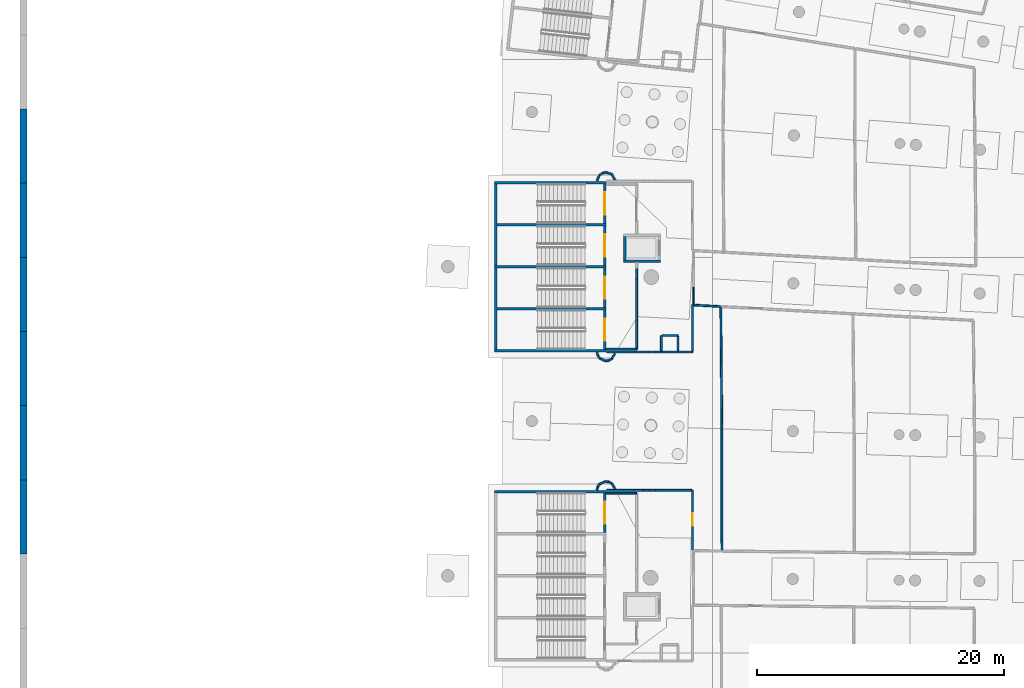
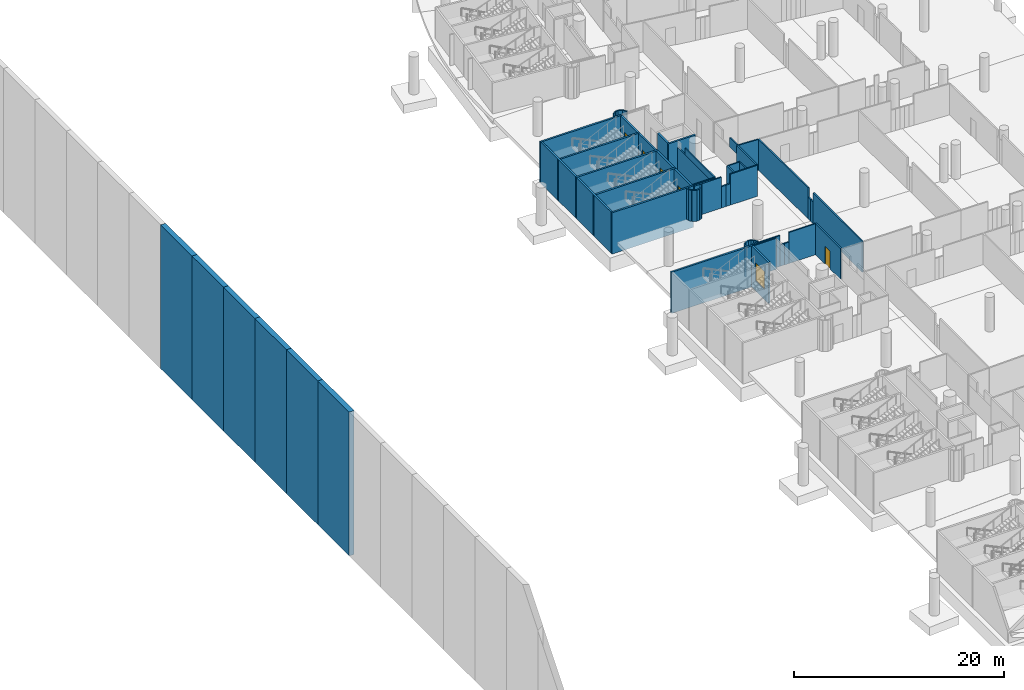
# One storey, part 66 of 142: 61 walls, 6 doors, 6 openings.
"""IFC4 building model written with IfcOpenShell, lengths in metres."""

from ifc_helpers import new_model, si_unit, direction, frame, frame_2d, origin, place, context, subcontext, project, spatial, rectangle, extrude, material, layer, layer_set, type_object, element, fill, save


model = new_model("IFC4")

# Units and contexts
model_context = context("Model", 3, precision=1e-05, world=origin(), true_north=direction((0.0, 1.0)))
body_context = subcontext(model_context, "Body", "Model", "MODEL_VIEW")
ifc_project = project(units=[si_unit("LENGTHUNIT", "METRE"), si_unit("AREAUNIT", "SQUARE_METRE"), si_unit("VOLUMEUNIT", "CUBIC_METRE"), si_unit("PLANEANGLEUNIT", "RADIAN"), si_unit("MASSUNIT", "GRAM", prefix="KILO")], contexts=[model_context])

# Site, building, storey
site_placement = place(None, origin())
site = spatial("IfcSite", under=ifc_project, at=site_placement, CompositionType="ELEMENT")
building_placement = place(site_placement, origin())
building = spatial("IfcBuilding", under=site, at=building_placement, Name="Meseta Stadium", CompositionType="ELEMENT")
storey_placement = place(building_placement, frame((0.0, 0.0, -4.0)))
storey = spatial("IfcBuildingStorey", under=building, at=storey_placement, Name="B1", CompositionType="ELEMENT", Elevation=-4.0)

# Walls
ifc_material_1 = material(Name="Concrete C40/50", Category="concrete")
ifc_layer_1 = layer(ifc_material_1, 0.199951171875)
ifc_layer_set_1 = layer_set([ifc_layer_1], Name="Core divider wall 200")
wall_type_1 = type_object("IfcWallType", Name="Core divider wall 200", PredefinedType="SHEAR", material=ifc_layer_set_1)
for number, where, z_axis, x_axis, name in (
    (1, (-97.60009765625, 34.64990234375, -1.199951171875), (0.0, 0.0, 1.0), (1.0, 0.0, 0.0), "Core 16 B1 stair A divider wall"),
    (2, (-97.60009765625, 27.85009765625, -1.199951171875), (0.0, 0.0, 1.0), (1.0, 0.0, 0.0), "Core 16 B1 stair B divider wall"),
):
    element("IfcWall", number, at=place(storey_placement, frame(where, z_axis=z_axis, x_axis=x_axis)), inside=storey, type_object=wall_type_1, Name=name, PredefinedType="SHEAR", context=body_context, shape_type="SweptSolid", body=[
        extrude(rectangle(XDim=9.0, YDim=0.199951171875, at=frame_2d((4.5, 0.0))), origin(), (0.0, 0.0, 1.0), 4.800048828125),
    ])
ifc_material_2 = material(Name="Concrete C40/50", Category="concrete")
ifc_layer_2 = layer(ifc_material_2, 0.199951171875)
ifc_layer_set_2 = layer_set([ifc_layer_2], Name="Core shaft wall 200")
wall_type_2 = type_object("IfcWallType", Name="Core shaft wall 200", PredefinedType="SHEAR", material=ifc_layer_set_2)
for number, where, z_axis, x_axis, name in (
    (3, (-97.60009765625, 38.050048828125, -1.199951171875), (0.0, 0.0, 1.0), (1.0, 0.0, 0.0), "Core 16 B1 stair wall A-side"),
    (4, (-97.60009765625, 31.25, -1.199951171875), (0.0, 0.0, 1.0), (1.0, 0.0, 0.0), "Core 16 B1 stair wall shared"),
    (5, (-97.60009765625, 24.449951171875, -1.199951171875), (0.0, 0.0, 1.0), (1.0, 0.0, 0.0), "Core 16 B1 stair wall B-side"),
):
    element("IfcWall", number, at=place(storey_placement, frame(where, z_axis=z_axis, x_axis=x_axis)), inside=storey, type_object=wall_type_2, Name=name, PredefinedType="SHEAR", context=body_context, shape_type="SweptSolid", body=[
        extrude(rectangle(XDim=9.0, YDim=0.199951171875, at=frame_2d((4.5, 0.0))), origin(), (0.0, 0.0, 1.0), 4.800048828125),
    ])
for number, where, z_axis, x_axis, name in (
    (6, (-97.5, 37.949951171875, -1.199951171875), (0.0, 0.0, 1.0), (0.0, -1.0, 0.0), "Core 16 B1 stair A outer end wall"),
    (7, (-97.5, 31.14990234375, -1.199951171875), (0.0, 0.0, 1.0), (0.0, -1.0, 0.0), "Core 16 B1 stair B outer end wall"),
):
    element("IfcWall", number, at=place(storey_placement, frame(where, z_axis=z_axis, x_axis=x_axis)), inside=storey, type_object=wall_type_2, Name=name, PredefinedType="SHEAR", context=body_context, shape_type="SweptSolid", body=[
        extrude(rectangle(XDim=6.599853515625, YDim=0.199951171875, at=frame_2d((3.2998046875, 0.0))), origin(), (0.0, 0.0, 1.0), 4.800048828125),
    ])

# Wall, opening, door
wall_1_placement = place(storey_placement, frame((-88.699951171875, 37.949951171875, -1.199951171875), z_axis=(0.0, 0.0, 1.0), x_axis=(0.0, -1.0, 0.0)))
wall_1 = element("IfcWall", 8, at=wall_1_placement, inside=storey, type_object=wall_type_2, Name="Core 16 B1 stair A1 inner end wall", PredefinedType="SHEAR", context=body_context, shape_type="SweptSolid", body=[
    extrude(rectangle(XDim=3.199951171875, YDim=0.199951171875, at=frame_2d((1.60009765625, 0.0))), origin(), (0.0, 0.0, 1.0), 4.800048828125),
])
opening_1_placement = place(wall_1_placement, frame((0.699951171875, 0.0, 1.199951171875)))
opening_1 = element("IfcOpeningElement", 9, at=opening_1_placement, cuts=wall_1, Name="Opening D211", PredefinedType="OPENING", context=body_context, shape_type="SweptSolid", body=[
    extrude(rectangle(XDim=1.800048828125, YDim=2.10009765625, at=frame_2d((0.89990234375, 1.050048828125))), frame((0.0, 0.10986328125, 0.0), z_axis=(0.0, -1.0, 0.0), x_axis=(1.0, 0.0, 0.0)), (0.0, 0.0, 1.0), 0.219970703125),
])
ifc_material_3 = material(Name="Steel", Category="steel")
door_type_1 = type_object("IfcDoorType", Name="Stair door 1800x2100", OperationType="DOUBLE_DOOR_SINGLE_SWING", PredefinedType="DOOR", material=ifc_material_3)
door_1_placement = place(opening_1_placement, origin())
door_1 = element("IfcDoor", 10, at=door_1_placement, inside=storey, type_object=door_type_1, Name="Stair A1 door 16 B1", OperationType="DOUBLE_DOOR_SINGLE_SWING", OverallHeight=2.10009765625, OverallWidth=1.800048828125, PredefinedType="DOOR", context=body_context, shape_type="SweptSolid", body=[
    extrude(rectangle(XDim=1.800048828125, YDim=2.10009765625, at=frame_2d((0.89990234375, 1.050048828125))), frame((0.0, 0.02490234375, 0.0), z_axis=(0.0, -1.0, 0.0), x_axis=(1.0, 0.0, 0.0)), (0.0, 0.0, 1.0), 0.050048828125),
])
fill(opening_1, door_1)

wall_2_placement = place(storey_placement, frame((-88.699951171875, 34.550048828125, -1.199951171875), z_axis=(0.0, 0.0, 1.0), x_axis=(0.0, -1.0, 0.0)))
wall_2 = element("IfcWall", 11, at=wall_2_placement, inside=storey, type_object=wall_type_2, Name="Core 16 B1 stair A2 inner end wall", PredefinedType="SHEAR", context=body_context, shape_type="SweptSolid", body=[
    extrude(rectangle(XDim=3.199951171875, YDim=0.199951171875, at=frame_2d((1.60009765625, 0.0))), origin(), (0.0, 0.0, 1.0), 4.800048828125),
])
opening_2_placement = place(wall_2_placement, frame((0.699951171875, 0.0, 1.199951171875)))
opening_2 = element("IfcOpeningElement", 12, at=opening_2_placement, cuts=wall_2, Name="Opening D212", PredefinedType="OPENING", context=body_context, shape_type="SweptSolid", body=[
    extrude(rectangle(XDim=1.800048828125, YDim=2.10009765625, at=frame_2d((0.89990234375, 1.050048828125))), frame((0.0, 0.10986328125, 0.0), z_axis=(0.0, -1.0, 0.0), x_axis=(1.0, 0.0, 0.0)), (0.0, 0.0, 1.0), 0.219970703125),
])
door_2_placement = place(opening_2_placement, origin())
door_2 = element("IfcDoor", 13, at=door_2_placement, inside=storey, type_object=door_type_1, Name="Stair A2 door 16 B1", OperationType="DOUBLE_DOOR_SINGLE_SWING", OverallHeight=2.10009765625, OverallWidth=1.800048828125, PredefinedType="DOOR", context=body_context, shape_type="SweptSolid", body=[
    extrude(rectangle(XDim=1.800048828125, YDim=2.10009765625, at=frame_2d((0.89990234375, 1.050048828125))), frame((0.0, 0.02490234375, 0.0), z_axis=(0.0, -1.0, 0.0), x_axis=(1.0, 0.0, 0.0)), (0.0, 0.0, 1.0), 0.050048828125),
])
fill(opening_2, door_2)

wall_3_placement = place(storey_placement, frame((-88.699951171875, 31.14990234375, -1.199951171875), z_axis=(0.0, 0.0, 1.0), x_axis=(0.0, -1.0, 0.0)))
wall_3 = element("IfcWall", 14, at=wall_3_placement, inside=storey, type_object=wall_type_2, Name="Core 16 B1 stair B1 inner end wall", PredefinedType="SHEAR", context=body_context, shape_type="SweptSolid", body=[
    extrude(rectangle(XDim=3.199951171875, YDim=0.199951171875, at=frame_2d((1.60009765625, 0.0))), origin(), (0.0, 0.0, 1.0), 4.800048828125),
])
opening_3_placement = place(wall_3_placement, frame((0.699951171875, 0.0, 1.199951171875)))
opening_3 = element("IfcOpeningElement", 15, at=opening_3_placement, cuts=wall_3, Name="Opening D213", PredefinedType="OPENING", context=body_context, shape_type="SweptSolid", body=[
    extrude(rectangle(XDim=1.800048828125, YDim=2.10009765625, at=frame_2d((0.89990234375, 1.050048828125))), frame((0.0, 0.10986328125, 0.0), z_axis=(0.0, -1.0, 0.0), x_axis=(1.0, 0.0, 0.0)), (0.0, 0.0, 1.0), 0.219970703125),
])
door_3_placement = place(opening_3_placement, origin())
door_3 = element("IfcDoor", 16, at=door_3_placement, inside=storey, type_object=door_type_1, Name="Stair B1 door 16 B1", OperationType="DOUBLE_DOOR_SINGLE_SWING", OverallHeight=2.10009765625, OverallWidth=1.800048828125, PredefinedType="DOOR", context=body_context, shape_type="SweptSolid", body=[
    extrude(rectangle(XDim=1.800048828125, YDim=2.10009765625, at=frame_2d((0.89990234375, 1.050048828125))), frame((0.0, 0.02490234375, 0.0), z_axis=(0.0, -1.0, 0.0), x_axis=(1.0, 0.0, 0.0)), (0.0, 0.0, 1.0), 0.050048828125),
])
fill(opening_3, door_3)

wall_4_placement = place(storey_placement, frame((-88.699951171875, 27.75, -1.199951171875), z_axis=(0.0, 0.0, 1.0), x_axis=(0.0, -1.0, 0.0)))
wall_4 = element("IfcWall", 17, at=wall_4_placement, inside=storey, type_object=wall_type_2, Name="Core 16 B1 stair B2 inner end wall", PredefinedType="SHEAR", context=body_context, shape_type="SweptSolid", body=[
    extrude(rectangle(XDim=3.199951171875, YDim=0.199951171875, at=frame_2d((1.60009765625, 0.0))), origin(), (0.0, 0.0, 1.0), 4.800048828125),
])
opening_4_placement = place(wall_4_placement, frame((0.699951171875, 0.0, 1.199951171875)))
opening_4 = element("IfcOpeningElement", 18, at=opening_4_placement, cuts=wall_4, Name="Opening D214", PredefinedType="OPENING", context=body_context, shape_type="SweptSolid", body=[
    extrude(rectangle(XDim=1.800048828125, YDim=2.10009765625, at=frame_2d((0.89990234375, 1.050048828125))), frame((0.0, 0.10986328125, 0.0), z_axis=(0.0, -1.0, 0.0), x_axis=(1.0, 0.0, 0.0)), (0.0, 0.0, 1.0), 0.219970703125),
])
door_4_placement = place(opening_4_placement, origin())
door_4 = element("IfcDoor", 19, at=door_4_placement, inside=storey, type_object=door_type_1, Name="Stair B2 door 16 B1", OperationType="DOUBLE_DOOR_SINGLE_SWING", OverallHeight=2.10009765625, OverallWidth=1.800048828125, PredefinedType="DOOR", context=body_context, shape_type="SweptSolid", body=[
    extrude(rectangle(XDim=1.800048828125, YDim=2.10009765625, at=frame_2d((0.89990234375, 1.050048828125))), frame((0.0, 0.02490234375, 0.0), z_axis=(0.0, -1.0, 0.0), x_axis=(1.0, 0.0, 0.0)), (0.0, 0.0, 1.0), 0.050048828125),
])
fill(opening_4, door_4)

# Walls
wall_5_placement = place(storey_placement, frame((-87.199951171875, 31.699951171875, -1.199951171875), z_axis=(0.0, 0.0, 1.0), x_axis=(1.0, 0.0, 0.0)))
element("IfcWall", 20, at=wall_5_placement, inside=storey, type_object=wall_type_2, Name="Core 16 B1 lift shaft wall right", PredefinedType="SHEAR", context=body_context, shape_type="SweptSolid", body=[
    extrude(rectangle(XDim=3.0, YDim=0.199951171875, at=frame_2d((1.5, 0.0))), origin(), (0.0, 0.0, 1.0), 4.800048828125),
])
wall_6_placement = place(storey_placement, frame((-87.10009765625, 33.699951171875, -1.199951171875), z_axis=(0.0, 0.0, 1.0), x_axis=(0.0, -1.0, 0.0)))
element("IfcWall", 21, at=wall_6_placement, inside=storey, type_object=wall_type_2, Name="Core 16 B1 lift shaft back wall", PredefinedType="SHEAR", context=body_context, shape_type="SweptSolid", body=[
    extrude(rectangle(XDim=1.89990234375, YDim=0.199951171875, at=frame_2d((0.949951171875, 0.0))), origin(), (0.0, 0.0, 1.0), 4.800048828125),
])
wall_7_placement = place(storey_placement, frame((-97.60009765625, 13.050048828125, -1.199951171875), z_axis=(0.0, 0.0, 1.0), x_axis=(1.0, 0.0, 0.0)))
element("IfcWall", 22, at=wall_7_placement, inside=storey, type_object=wall_type_2, Name="Core 17 B1 stair wall A-side", PredefinedType="SHEAR", context=body_context, shape_type="SweptSolid", body=[
    extrude(rectangle(XDim=9.0, YDim=0.199951171875, at=frame_2d((4.5, 0.0))), origin(), (0.0, 0.0, 1.0), 4.800048828125),
])

# Wall, opening, door
wall_8_placement = place(storey_placement, frame((-88.699951171875, 12.949951171875, -1.199951171875), z_axis=(0.0, 0.0, 1.0), x_axis=(0.0, -1.0, 0.0)))
wall_8 = element("IfcWall", 23, at=wall_8_placement, inside=storey, type_object=wall_type_2, Name="Core 17 B1 stair A1 inner end wall", PredefinedType="SHEAR", context=body_context, shape_type="SweptSolid", body=[
    extrude(rectangle(XDim=3.199951171875, YDim=0.199951171875, at=frame_2d((1.60009765625, 0.0))), origin(), (0.0, 0.0, 1.0), 4.800048828125),
])
opening_5_placement = place(wall_8_placement, frame((0.699951171875, 0.0, 1.199951171875)))
opening_5 = element("IfcOpeningElement", 24, at=opening_5_placement, cuts=wall_8, Name="Opening D225", PredefinedType="OPENING", context=body_context, shape_type="SweptSolid", body=[
    extrude(rectangle(XDim=1.800048828125, YDim=2.10009765625, at=frame_2d((0.89990234375, 1.050048828125))), frame((0.0, 0.10986328125, 0.0), z_axis=(0.0, -1.0, 0.0), x_axis=(1.0, 0.0, 0.0)), (0.0, 0.0, 1.0), 0.219970703125),
])
door_5_placement = place(opening_5_placement, origin())
door_5 = element("IfcDoor", 25, at=door_5_placement, inside=storey, type_object=door_type_1, Name="Stair A1 door 17 B1", OperationType="DOUBLE_DOOR_SINGLE_SWING", OverallHeight=2.10009765625, OverallWidth=1.800048828125, PredefinedType="DOOR", context=body_context, shape_type="SweptSolid", body=[
    extrude(rectangle(XDim=1.800048828125, YDim=2.10009765625, at=frame_2d((0.89990234375, 1.050048828125))), frame((0.0, 0.02490234375, 0.0), z_axis=(0.0, -1.0, 0.0), x_axis=(1.0, 0.0, 0.0)), (0.0, 0.0, 1.0), 0.050048828125),
])
fill(opening_5, door_5)

# Walls
ifc_material_4 = material(Name="Masonry blockwork", Category="masonry")
ifc_layer_3 = layer(ifc_material_4, 0.14990234375)
ifc_layer_set_3 = layer_set([ifc_layer_3], Name="Partition 150")
wall_type_3 = type_object("IfcWallType", Name="Partition 150", PredefinedType="PARTITIONING", material=ifc_layer_set_3)
wall_9_placement = place(storey_placement, frame((-79.2236328125, 8.3193359375, 0.0), z_axis=(0.0, 0.0, 1.0), x_axis=(-0.00057636878, 0.9999998339, 0.0)))
element("IfcWall", 26, at=wall_9_placement, inside=storey, type_object=wall_type_3, Name="Partition B1 B1-cell15-2-0", PredefinedType="PARTITIONING", context=body_context, shape_type="SweptSolid", body=[
    extrude(rectangle(XDim=9.31884765625, YDim=0.14990234375, at=frame_2d((4.659423828125, 0.0))), origin(), (0.0, 0.0, 1.0), 3.60009765625),
])
for number, where, z_axis, x_axis, name in (
    (27, (-79.22900390625, 17.63818359375, 0.0), (0.0, 0.0, 1.0), (-0.0004938271, 0.999999878067, 0.0), "Partition B1 B1-cell15-2-0"),
    (28, (-79.229248046875, 18.132568359375, 0.0), (0.0, 0.0, 1.0), (-0.008394765914, 0.999964763332, 0.0), "Partition B1 B1-cell15-2-0"),
):
    element("IfcWall", number, at=place(storey_placement, frame(where, z_axis=z_axis, x_axis=x_axis)), inside=storey, type_object=wall_type_3, Name=name, PredefinedType="PARTITIONING", context=body_context, shape_type="SweptSolid", body=[
        extrude(rectangle(XDim=0.494384765625, YDim=0.14990234375, at=frame_2d((0.2470703125, 0.0))), origin(), (0.0, 0.0, 1.0), 2.5),
    ])
wall_10_placement = place(storey_placement, frame((-79.2333984375, 18.626953125, 0.0), z_axis=(0.0, 0.0, 1.0), x_axis=(-0.008470969086, 0.999964120698, 0.0)))
element("IfcWall", 29, at=wall_10_placement, inside=storey, type_object=wall_type_3, Name="Partition B1 B1-cell15-2-0", PredefinedType="PARTITIONING", context=body_context, shape_type="SweptSolid", body=[
    extrude(rectangle(XDim=9.3955078125, YDim=0.14990234375, at=frame_2d((4.69775390625, 0.0))), origin(), (0.0, 0.0, 1.0), 3.60009765625),
])

# Wall, opening, door
wall_11_placement = place(storey_placement, frame((-81.60009765625, 8.34521484375, 0.0), z_axis=(0.0, 0.0, 1.0), x_axis=(0.0, 1.0, 0.0)))
wall_11 = element("IfcWall", 30, at=wall_11_placement, inside=storey, type_object=wall_type_3, Name="Partition B1 B1-cell15-3-0", PredefinedType="PARTITIONING", context=body_context, shape_type="SweptSolid", body=[
    extrude(rectangle(XDim=4.8046875, YDim=0.14990234375, at=frame_2d((2.40234375, 0.0))), origin(), (0.0, 0.0, 1.0), 3.60009765625),
])
opening_6_placement = place(wall_11_placement, frame((1.949951171875, 0.0, 0.0)))
opening_6 = element("IfcOpeningElement", 31, at=opening_6_placement, cuts=wall_11, Name="Opening D478", PredefinedType="OPENING", context=body_context, shape_type="SweptSolid", body=[
    extrude(rectangle(XDim=1.0, YDim=2.10009765625, at=frame_2d((0.5, 1.050048828125))), frame((0.0, 0.0849609375, 0.0), z_axis=(0.0, -1.0, 0.0), x_axis=(1.0, 0.0, 0.0)), (0.0, 0.0, 1.0), 0.169921875),
])
ifc_material_5 = material(Name="Steel", Category="steel")
door_type_2 = type_object("IfcDoorType", Name="Fire door 1000x2100 EI2 60", OperationType="NOTDEFINED", PredefinedType="DOOR", material=ifc_material_5)
door_6_placement = place(opening_6_placement, origin())
door_6 = element("IfcDoor", 32, at=door_6_placement, inside=storey, type_object=door_type_2, Name="Door D478", OperationType="SINGLE_SWING_LEFT", OverallHeight=2.10009765625, OverallWidth=1.0, PredefinedType="DOOR", context=body_context, shape_type="SweptSolid", body=[
    extrude(rectangle(XDim=1.0, YDim=2.10009765625, at=frame_2d((0.5, 1.050048828125))), frame((0.0, 0.02490234375, 0.0), z_axis=(0.0, -1.0, 0.0), x_axis=(1.0, 0.0, 0.0)), (0.0, 0.0, 1.0), 0.050048828125),
])
fill(opening_6, door_6)

# Walls
wall_12_placement = place(storey_placement, frame((-81.675048828125, 13.14990234375, 0.0), z_axis=(0.0, 0.0, 1.0), x_axis=(-1.0, 0.0, 0.0)))
element("IfcWall", 33, at=wall_12_placement, inside=storey, type_object=wall_type_3, Name="Partition B1 B1-cell15-3-0", PredefinedType="PARTITIONING", context=body_context, shape_type="SweptSolid", body=[
    extrude(rectangle(XDim=2.907958984375, YDim=0.14990234375, at=frame_2d((1.4541015625, 0.0))), origin(), (0.0, 0.0, 1.0), 3.60009765625),
])
for number, where, z_axis, x_axis, name in (
    (34, (-84.5830078125, 13.14990234375, 0.0), (0.0, 0.0, 1.0), (-1.0, 0.0, 0.0), "Partition B1 B1-cell15-3-0"),
    (35, (-85.080078125, 13.14990234375, 0.0), (0.0, 0.0, 1.0), (-1.0, 0.0, 0.0), "Partition B1 B1-cell15-3-0"),
):
    element("IfcWall", number, at=place(storey_placement, frame(where, z_axis=z_axis, x_axis=x_axis)), inside=storey, type_object=wall_type_3, Name=name, PredefinedType="PARTITIONING", context=body_context, shape_type="SweptSolid", body=[
        extrude(rectangle(XDim=0.4970703125, YDim=0.14990234375, at=frame_2d((0.24853515625, 0.0))), origin(), (0.0, 0.0, 1.0), 2.5),
    ])
for number, where, z_axis, x_axis, name in (
    (36, (-85.5771484375, 13.14990234375, 0.0), (0.0, 0.0, 1.0), (-1.0, 0.0, 0.0), "Partition B1 B1-cell15-3-0"),
    (37, (-88.56005859375, 24.35009765625, 0.0), (0.0, 0.0, 1.0), (1.0, 0.0, 0.0), "Partition B1 B1-cell15-3-0"),
):
    element("IfcWall", number, at=place(storey_placement, frame(where, z_axis=z_axis, x_axis=x_axis)), inside=storey, type_object=wall_type_3, Name=name, PredefinedType="PARTITIONING", context=body_context, shape_type="SweptSolid", body=[
        extrude(rectangle(XDim=2.98291015625, YDim=0.14990234375, at=frame_2d((1.491455078125, 0.0))), origin(), (0.0, 0.0, 1.0), 3.60009765625),
    ])
for number, where, z_axis, x_axis, name in (
    (38, (-85.5771484375, 24.35009765625, 0.0), (0.0, 0.0, 1.0), (1.0, 0.0, 0.0), "Partition B1 B1-cell15-3-0"),
    (39, (-85.080078125, 24.35009765625, 0.0), (0.0, 0.0, 1.0), (1.0, 0.0, 0.0), "Partition B1 B1-cell15-3-0"),
):
    element("IfcWall", number, at=place(storey_placement, frame(where, z_axis=z_axis, x_axis=x_axis)), inside=storey, type_object=wall_type_3, Name=name, PredefinedType="PARTITIONING", context=body_context, shape_type="SweptSolid", body=[
        extrude(rectangle(XDim=0.4970703125, YDim=0.14990234375, at=frame_2d((0.24853515625, 0.0))), origin(), (0.0, 0.0, 1.0), 2.5),
    ])
wall_13_placement = place(storey_placement, frame((-84.5830078125, 24.35009765625, 0.0), z_axis=(0.0, 0.0, 1.0), x_axis=(1.0, 0.0, 0.0)))
element("IfcWall", 40, at=wall_13_placement, inside=storey, type_object=wall_type_3, Name="Partition B1 B1-cell15-3-0", PredefinedType="PARTITIONING", context=body_context, shape_type="SweptSolid", body=[
    extrude(rectangle(XDim=2.98291015625, YDim=0.14990234375, at=frame_2d((1.491455078125, 0.0))), origin(), (0.0, 0.0, 1.0), 3.60009765625),
])
wall_14_placement = place(storey_placement, frame((-81.60009765625, 24.425048828125, 0.0), z_axis=(0.0, 0.0, 1.0), x_axis=(0.0, 1.0, 0.0)))
element("IfcWall", 41, at=wall_14_placement, inside=storey, type_object=wall_type_3, Name="Partition B1 B1-cell15-3-0", PredefinedType="PARTITIONING", context=body_context, shape_type="SweptSolid", body=[
    extrude(rectangle(XDim=3.72265625, YDim=0.14990234375, at=frame_2d((1.861328125, 0.0))), origin(), (0.0, 0.0, 1.0), 3.60009765625),
])
wall_15_placement = place(storey_placement, frame((-81.52490234375, 28.1435546875, 0.0), z_axis=(0.0, 0.0, 1.0), x_axis=(0.998497253929, -0.054801769103, 0.0)))
element("IfcWall", 42, at=wall_15_placement, inside=storey, type_object=wall_type_3, Name="Partition B1 B1-cell15-3-0", PredefinedType="PARTITIONING", context=body_context, shape_type="SweptSolid", body=[
    extrude(rectangle(XDim=2.1650390625, YDim=0.14990234375, at=frame_2d((1.08251953125, 0.0))), origin(), (0.0, 0.0, 1.0), 3.60009765625),
])
wall_16_placement = place(storey_placement, frame((-84.125, 25.675048828125, 0.0), z_axis=(0.0, 0.0, 1.0), x_axis=(0.0, -1.0, 0.0)))
element("IfcWall", 43, at=wall_16_placement, inside=storey, type_object=wall_type_3, Name="Pressurisation shaft wall B1 core 16", PredefinedType="PARTITIONING", context=body_context, shape_type="SweptSolid", body=[
    extrude(rectangle(XDim=1.2490234375, YDim=0.14990234375, at=frame_2d((0.62451171875, 0.0))), origin(), (0.0, 0.0, 1.0), 3.60009765625),
])
wall_17_placement = place(storey_placement, frame((-82.77490234375, 24.426025390625, 0.0), z_axis=(0.0, 0.0, 1.0), x_axis=(0.0, 1.0, 0.0)))
element("IfcWall", 44, at=wall_17_placement, inside=storey, type_object=wall_type_3, Name="Pressurisation shaft wall B1 core 16", PredefinedType="PARTITIONING", context=body_context, shape_type="SweptSolid", body=[
    extrude(rectangle(XDim=1.174072265625, YDim=0.14990234375, at=frame_2d((0.5869140625, 0.0))), origin(), (0.0, 0.0, 1.0), 3.60009765625),
])
wall_18_placement = place(storey_placement, frame((-82.77490234375, 25.675048828125, 0.0), z_axis=(0.0, 0.0, 1.0), x_axis=(-1.0, 0.0, 0.0)))
element("IfcWall", 45, at=wall_18_placement, inside=storey, type_object=wall_type_3, Name="Pressurisation shaft wall B1 core 16", PredefinedType="PARTITIONING", context=body_context, shape_type="SweptSolid", body=[
    extrude(rectangle(XDim=1.275146484375, YDim=0.14990234375, at=frame_2d((0.6376953125, 0.0))), origin(), (0.0, 0.0, 1.0), 3.60009765625),
])
wall_19_placement = place(storey_placement, frame((-88.590087890625, 24.574951171875, 0.0), z_axis=(0.0, 0.0, 1.0), x_axis=(1.0, 0.0, 0.0)))
element("IfcWall", 46, at=wall_19_placement, inside=storey, type_object=wall_type_3, Name="Stair vestibule wall B1 core 16", PredefinedType="PARTITIONING", context=body_context, shape_type="SweptSolid", body=[
    extrude(rectangle(XDim=2.465087890625, YDim=0.14990234375, at=frame_2d((1.232421875, 0.0))), origin(), (0.0, 0.0, 1.0), 3.60009765625),
])
wall_20_placement = place(storey_placement, frame((-86.125, 24.574951171875, 0.0), z_axis=(0.0, 0.0, 1.0), x_axis=(0.0, 1.0, 0.0)))
element("IfcWall", 47, at=wall_20_placement, inside=storey, type_object=wall_type_3, Name="Stair vestibule wall B1 core 16", PredefinedType="PARTITIONING", context=body_context, shape_type="SweptSolid", body=[
    extrude(rectangle(XDim=7.01513671875, YDim=0.14990234375, at=frame_2d((3.507568359375, 0.0))), origin(), (0.0, 0.0, 1.0), 2.85009765625),
])
wall_21_placement = place(storey_placement, frame((-86.125, 24.574951171875, 2.85009765625), z_axis=(0.0, 0.0, 1.0), x_axis=(0.0, 1.0, 0.0)))
element("IfcWall", 48, at=wall_21_placement, inside=storey, type_object=wall_type_3, Name="Stair vestibule wall B1 core 16", PredefinedType="PARTITIONING", context=body_context, shape_type="SweptSolid", body=[
    extrude(rectangle(XDim=5.612060546875, YDim=0.14990234375, at=frame_2d((2.80615234375, 0.0))), origin(), (0.0, 0.0, 1.0), 0.75),
])
wall_22_placement = place(storey_placement, frame((-89.329833984375, 24.321533203125, 0.0), z_axis=(0.0, 0.0, 1.0), x_axis=(0.230253879357, -0.973130593004, 0.0)))
element("IfcWall", 49, at=wall_22_placement, inside=storey, type_object=wall_type_3, Name="Stair vestibule wall B1 core 16", PredefinedType="PARTITIONING", context=body_context, shape_type="SweptSolid", body=[
    extrude(rectangle(XDim=0.257568359375, YDim=0.14990234375, at=frame_2d((0.12890625, 0.0))), origin(), (0.0, 0.0, 1.0), 3.60009765625),
])
wall_23_placement = place(storey_placement, frame((-89.2705078125, 24.07080078125, 0.0), z_axis=(0.0, 0.0, 1.0), x_axis=(0.555678694372, -0.831397130511, 0.0)))
element("IfcWall", 50, at=wall_23_placement, inside=storey, type_object=wall_type_3, Name="Stair vestibule wall B1 core 16", PredefinedType="PARTITIONING", context=body_context, shape_type="SweptSolid", body=[
    extrude(rectangle(XDim=0.287841796875, YDim=0.14990234375, at=frame_2d((0.14404296875, 0.0))), origin(), (0.0, 0.0, 1.0), 3.60009765625),
])
wall_24_placement = place(storey_placement, frame((-89.110595703125, 23.83154296875, 0.0), z_axis=(0.0, 0.0, 1.0), x_axis=(0.90398642908, -0.427561148889, 0.0)))
element("IfcWall", 51, at=wall_24_placement, inside=storey, type_object=wall_type_3, Name="Stair vestibule wall B1 core 16", PredefinedType="PARTITIONING", context=body_context, shape_type="SweptSolid", body=[
    extrude(rectangle(XDim=0.479736328125, YDim=0.14990234375, at=frame_2d((0.23974609375, 0.0))), origin(), (0.0, 0.0, 1.0), 3.60009765625),
])
for number, where, z_axis, x_axis, name in (
    (52, (-88.677001953125, 23.62646484375, 0.0), (0.0, 0.0, 1.0), (0.995194714408, 0.097915680128, 0.0), "Stair vestibule wall B1 core 16"),
    (53, (-88.38916015625, 23.65478515625, 0.0), (0.0, 0.0, 1.0), (0.881768319, 0.471682765858, 0.0), "Stair vestibule wall B1 core 16"),
):
    element("IfcWall", number, at=place(storey_placement, frame(where, z_axis=z_axis, x_axis=x_axis)), inside=storey, type_object=wall_type_3, Name=name, PredefinedType="PARTITIONING", context=body_context, shape_type="SweptSolid", body=[
        extrude(rectangle(XDim=0.289306640625, YDim=0.14990234375, at=frame_2d((0.14453125, 0.0))), origin(), (0.0, 0.0, 1.0), 3.60009765625),
    ])
wall_25_placement = place(storey_placement, frame((-88.134033203125, 23.791259765625, 0.0), z_axis=(0.0, 0.0, 1.0), x_axis=(0.513060623194, 0.858352373404, 0.0)))
element("IfcWall", 54, at=wall_25_placement, inside=storey, type_object=wall_type_3, Name="Stair vestibule wall B1 core 16", PredefinedType="PARTITIONING", context=body_context, shape_type="SweptSolid", body=[
    extrude(rectangle(XDim=0.50048828125, YDim=0.14990234375, at=frame_2d((0.250244140625, 0.0))), origin(), (0.0, 0.0, 1.0), 3.60009765625),
])
wall_26_placement = place(storey_placement, frame((-81.52490234375, 28.219482421875, 2.5), z_axis=(0.0, 0.0, 1.0), x_axis=(0.0, 1.0, 0.0)))
element("IfcWall", 55, at=wall_26_placement, inside=storey, type_object=wall_type_3, Name="Stair vestibule wall B1 core 16", PredefinedType="PARTITIONING", context=body_context, shape_type="SweptSolid", body=[
    extrude(rectangle(XDim=1.375244140625, YDim=0.14990234375, at=frame_2d((0.6875, 0.0))), origin(), (0.0, 0.0, 1.0), 1.10009765625),
])
wall_27_placement = place(storey_placement, frame((-87.877197265625, 38.279052734375, 0.0), z_axis=(0.0, 0.0, 1.0), x_axis=(-0.513007387301, 0.858384191709, 0.0)))
element("IfcWall", 56, at=wall_27_placement, inside=storey, type_object=wall_type_3, Name="Stair vestibule wall B1 core 16", PredefinedType="PARTITIONING", context=body_context, shape_type="SweptSolid", body=[
    extrude(rectangle(XDim=0.5068359375, YDim=0.14990234375, at=frame_2d((0.25341796875, 0.0))), origin(), (0.0, 0.0, 1.0), 3.60009765625),
])
wall_28_placement = place(storey_placement, frame((-88.13720703125, 38.714111328125, 0.0), z_axis=(0.0, 0.0, 1.0), x_axis=(-0.941514118829, 0.33697353612, 0.0)))
element("IfcWall", 57, at=wall_28_placement, inside=storey, type_object=wall_type_3, Name="Stair vestibule wall B1 core 16", PredefinedType="PARTITIONING", context=body_context, shape_type="SweptSolid", body=[
    extrude(rectangle(XDim=0.4853515625, YDim=0.14990234375, at=frame_2d((0.24267578125, 0.0))), origin(), (0.0, 0.0, 1.0), 3.60009765625),
])
wall_29_placement = place(storey_placement, frame((-88.59423828125, 38.877685546875, 0.0), z_axis=(0.0, 0.0, 1.0), x_axis=(-0.980677850921, -0.195629631482, 0.0)))
element("IfcWall", 58, at=wall_29_placement, inside=storey, type_object=wall_type_3, Name="Stair vestibule wall B1 core 16", PredefinedType="PARTITIONING", context=body_context, shape_type="SweptSolid", body=[
    extrude(rectangle(XDim=0.28955078125, YDim=0.14990234375, at=frame_2d((0.144775390625, 0.0))), origin(), (0.0, 0.0, 1.0), 3.60009765625),
])
wall_30_placement = place(storey_placement, frame((-88.878173828125, 38.821044921875, 0.0), z_axis=(0.0, 0.0, 1.0), x_axis=(-0.831269669455, -0.555869352136, 0.0)))
element("IfcWall", 59, at=wall_30_placement, inside=storey, type_object=wall_type_3, Name="Stair vestibule wall B1 core 16", PredefinedType="PARTITIONING", context=body_context, shape_type="SweptSolid", body=[
    extrude(rectangle(XDim=0.2890625, YDim=0.14990234375, at=frame_2d((0.14453125, 0.0))), origin(), (0.0, 0.0, 1.0), 3.60009765625),
])
wall_31_placement = place(storey_placement, frame((-89.118408203125, 38.660400390625, 0.0), z_axis=(0.0, 0.0, 1.0), x_axis=(-0.427917965102, -0.903817578465, 0.0)))
element("IfcWall", 60, at=wall_31_placement, inside=storey, type_object=wall_type_3, Name="Stair vestibule wall B1 core 16", PredefinedType="PARTITIONING", context=body_context, shape_type="SweptSolid", body=[
    extrude(rectangle(XDim=0.49853515625, YDim=0.14990234375, at=frame_2d((0.249267578125, 0.0))), origin(), (0.0, 0.0, 1.0), 3.60009765625),
])
wall_32_placement = place(storey_placement, frame((-86.125, 12.925048828125, 0.0), z_axis=(0.0, 0.0, 1.0), x_axis=(-1.0, 0.0, 0.0)))
element("IfcWall", 61, at=wall_32_placement, inside=storey, type_object=wall_type_3, Name="Stair vestibule wall B1 core 17", PredefinedType="PARTITIONING", context=body_context, shape_type="SweptSolid", body=[
    extrude(rectangle(XDim=2.465087890625, YDim=0.14990234375, at=frame_2d((1.232421875, 0.0))), origin(), (0.0, 0.0, 1.0), 3.60009765625),
])
wall_33_placement = place(storey_placement, frame((-87.877197265625, 13.279052734375, 0.0), z_axis=(0.0, 0.0, 1.0), x_axis=(-0.513060623194, 0.858352373404, 0.0)))
element("IfcWall", 62, at=wall_33_placement, inside=storey, type_object=wall_type_3, Name="Stair vestibule wall B1 core 17", PredefinedType="PARTITIONING", context=body_context, shape_type="SweptSolid", body=[
    extrude(rectangle(XDim=0.50048828125, YDim=0.14990234375, at=frame_2d((0.250244140625, 0.0))), origin(), (0.0, 0.0, 1.0), 3.60009765625),
])
for number, where, z_axis, x_axis, name in (
    (63, (-88.134033203125, 13.708740234375, 0.0), (0.0, 0.0, 1.0), (-0.881768319, 0.471682765858, 0.0), "Stair vestibule wall B1 core 17"),
    (64, (-88.38916015625, 13.84521484375, 0.0), (0.0, 0.0, 1.0), (-0.995194714408, 0.097915680128, 0.0), "Stair vestibule wall B1 core 17"),
):
    element("IfcWall", number, at=place(storey_placement, frame(where, z_axis=z_axis, x_axis=x_axis)), inside=storey, type_object=wall_type_3, Name=name, PredefinedType="PARTITIONING", context=body_context, shape_type="SweptSolid", body=[
        extrude(rectangle(XDim=0.289306640625, YDim=0.14990234375, at=frame_2d((0.14453125, 0.0))), origin(), (0.0, 0.0, 1.0), 3.60009765625),
    ])
wall_34_placement = place(storey_placement, frame((-88.677001953125, 13.87353515625, 0.0), z_axis=(0.0, 0.0, 1.0), x_axis=(-0.90398642908, -0.427561148889, 0.0)))
element("IfcWall", 65, at=wall_34_placement, inside=storey, type_object=wall_type_3, Name="Stair vestibule wall B1 core 17", PredefinedType="PARTITIONING", context=body_context, shape_type="SweptSolid", body=[
    extrude(rectangle(XDim=0.479736328125, YDim=0.14990234375, at=frame_2d((0.23974609375, 0.0))), origin(), (0.0, 0.0, 1.0), 3.60009765625),
])
wall_35_placement = place(storey_placement, frame((-89.110595703125, 13.66845703125, 0.0), z_axis=(0.0, 0.0, 1.0), x_axis=(-0.555678694372, -0.831397130511, 0.0)))
element("IfcWall", 66, at=wall_35_placement, inside=storey, type_object=wall_type_3, Name="Stair vestibule wall B1 core 17", PredefinedType="PARTITIONING", context=body_context, shape_type="SweptSolid", body=[
    extrude(rectangle(XDim=0.287841796875, YDim=0.14990234375, at=frame_2d((0.14404296875, 0.0))), origin(), (0.0, 0.0, 1.0), 3.60009765625),
])
wall_36_placement = place(storey_placement, frame((-89.2705078125, 13.42919921875, 0.0), z_axis=(0.0, 0.0, 1.0), x_axis=(-0.230253879357, -0.973130593004, 0.0)))
element("IfcWall", 67, at=wall_36_placement, inside=storey, type_object=wall_type_3, Name="Stair vestibule wall B1 core 17", PredefinedType="PARTITIONING", context=body_context, shape_type="SweptSolid", body=[
    extrude(rectangle(XDim=0.257568359375, YDim=0.14990234375, at=frame_2d((0.12890625, 0.0))), origin(), (0.0, 0.0, 1.0), 3.60009765625),
])
ifc_material_6 = material(Name="Concrete C30/37", Category="concrete")
ifc_layer_4 = layer(ifc_material_6, 0.550048828125)
ifc_layer_set_4 = layer_set([ifc_layer_4], Name="Site retaining wall 550")
wall_type_4 = type_object("IfcWallType", Name="Site retaining wall 550", PredefinedType="SOLIDWALL", material=ifc_layer_set_4)
for number, where, z_axis, x_axis, name in (
    (68, (-135.72509765625, 44.0, -13.0), (0.0, 0.0, 1.0), (0.0, -1.0, 0.0), "Site retaining wall 160"),
    (69, (-135.72509765625, 38.0, -13.0), (0.0, 0.0, 1.0), (0.0, -1.0, 0.0), "Site retaining wall 161"),
    (70, (-135.72509765625, 32.0, -13.0), (0.0, 0.0, 1.0), (0.0, -1.0, 0.0), "Site retaining wall 162"),
    (71, (-135.72509765625, 26.0, -13.0), (0.0, 0.0, 1.0), (0.0, -1.0, 0.0), "Site retaining wall 163"),
    (72, (-135.72509765625, 20.0, -13.0), (0.0, 0.0, 1.0), (0.0, -1.0, 0.0), "Site retaining wall 164"),
    (73, (-135.72509765625, 14.0, -13.0), (0.0, 0.0, 1.0), (0.0, -1.0, 0.0), "Site retaining wall 165"),
):
    element("IfcWall", number, at=place(storey_placement, frame(where, z_axis=z_axis, x_axis=x_axis)), inside=storey, type_object=wall_type_4, Name=name, PredefinedType="SOLIDWALL", context=body_context, shape_type="SweptSolid", body=[
        extrude(rectangle(XDim=6.0, YDim=0.550048828125, at=frame_2d((3.0, 0.0))), origin(), (0.0, 0.0, 1.0), 16.75),
    ])

save(model, "model.ifc")
